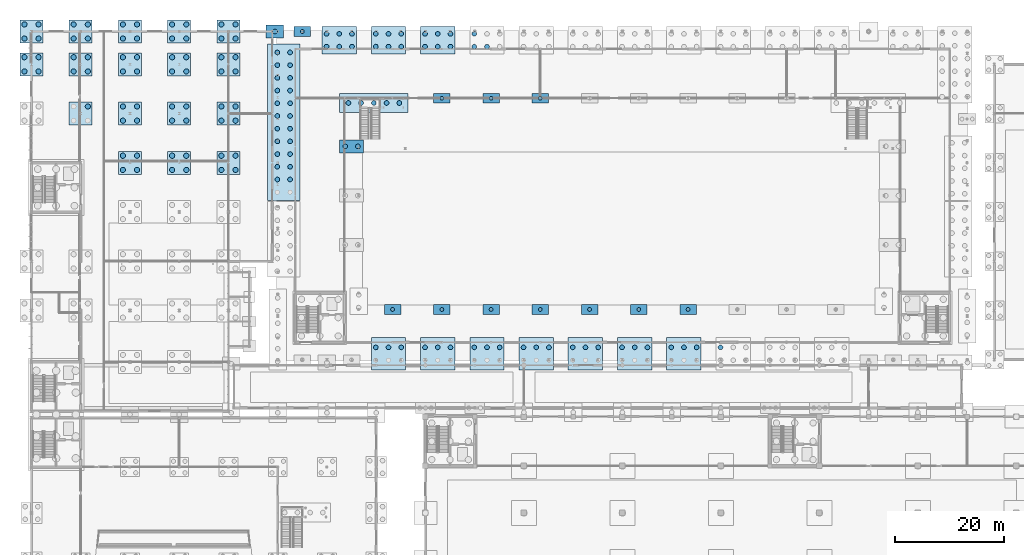
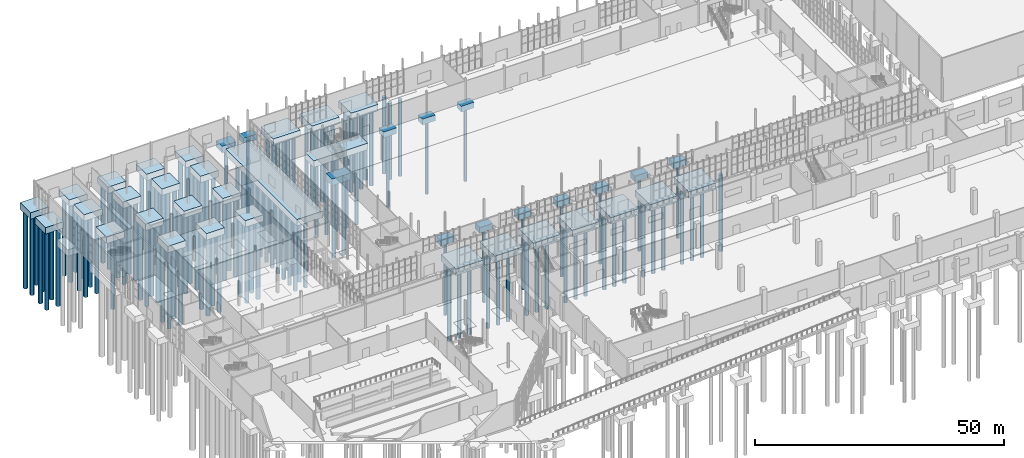
# One storey, part 4 of 131: 149 piles, 42 footings.
"""IFC4 building model written with IfcOpenShell, lengths in metres."""

from ifc_helpers import new_model, si_unit, direction, frame, origin, origin_2d, place, context, subcontext, project, spatial, rectangle, circle, extrude, material, material_profile, profile_set, type_object, element, save


model = new_model("IFC4")

# Units and contexts
model_context = context("Model", 3, precision=1e-05, world=origin(), true_north=direction((0.0, 1.0)))
body_context = subcontext(model_context, "Body", "Model", "MODEL_VIEW")
ifc_project = project(units=[si_unit("LENGTHUNIT", "METRE"), si_unit("AREAUNIT", "SQUARE_METRE"), si_unit("VOLUMEUNIT", "CUBIC_METRE"), si_unit("PLANEANGLEUNIT", "RADIAN"), si_unit("MASSUNIT", "GRAM", prefix="KILO")], contexts=[model_context])

# Site, building, storey
site_placement = place(None, origin())
site = spatial("IfcSite", under=ifc_project, at=site_placement, CompositionType="ELEMENT")
building_placement = place(site_placement, origin())
building = spatial("IfcBuilding", under=site, at=building_placement, Name="Cazmaro Siding Exhibition Halls", CompositionType="ELEMENT")
storey_placement = place(building_placement, origin())
storey = spatial("IfcBuildingStorey", under=building, at=storey_placement, Name="L00", CompositionType="ELEMENT", Elevation=0.0)

# Piles
ifc_material_1 = material(Name="Concrete f'c 35 MPa", Category="concrete")
ifc_material_profile_1 = material_profile(ifc_material_1, circle(Radius=0.35009765625, at=origin_2d()), Name="CIDH-700")
ifc_profile_set_1 = profile_set([ifc_material_profile_1], Name="Concrete f'c 35 MPa")
pile_type_1 = type_object("IfcPileType", Name="P-01", PredefinedType="BORED", material=ifc_profile_set_1)
for number, where, z_axis, x_axis, name in (
    (1, (49.5, 124.0, -1.300048828125), (0.0, 0.0, -1.0), (1.0, 0.0, 0.0), "Bored pile P-01 PIL-0327"),
    (2, (66.0, 73.199951171875, -1.300048828125), (0.0, 0.0, -1.0), (1.0, 0.0, 0.0), "Bored pile P-01 PIL-0391"),
    (3, (75.0, 73.199951171875, -1.300048828125), (0.0, 0.0, -1.0), (1.0, 0.0, 0.0), "Bored pile P-01 PIL-0410"),
    (4, (75.0, 111.800048828125, -1.300048828125), (0.0, 0.0, -1.0), (1.0, 0.0, 0.0), "Bored pile P-01 PIL-0411"),
    (5, (84.0, 73.199951171875, -1.300048828125), (0.0, 0.0, -1.0), (1.0, 0.0, 0.0), "Bored pile P-01 PIL-0433"),
    (6, (84.0, 111.800048828125, -1.300048828125), (0.0, 0.0, -1.0), (1.0, 0.0, 0.0), "Bored pile P-01 PIL-0434"),
    (7, (93.0, 73.199951171875, -1.300048828125), (0.0, 0.0, -1.0), (1.0, 0.0, 0.0), "Bored pile P-01 PIL-0455"),
    (8, (93.0, 111.800048828125, -1.300048828125), (0.0, 0.0, -1.0), (1.0, 0.0, 0.0), "Bored pile P-01 PIL-0456"),
    (9, (102.0, 73.199951171875, -1.300048828125), (0.0, 0.0, -1.0), (1.0, 0.0, 0.0), "Bored pile P-01 PIL-0471"),
    (10, (111.0, 73.199951171875, -1.300048828125), (0.0, 0.0, -1.0), (1.0, 0.0, 0.0), "Bored pile P-01 PIL-0493"),
    (11, (120.0, 73.199951171875, -1.300048828125), (0.0, 0.0, -1.0), (1.0, 0.0, 0.0), "Bored pile P-01 PIL-0512"),
):
    element("IfcPile", number, at=place(storey_placement, frame(where, z_axis=z_axis, x_axis=x_axis)), inside=storey, type_object=pile_type_1, Name=name, PredefinedType="BORED", context=body_context, shape_type="SweptSolid", body=[
        extrude(circle(Radius=0.35009765625, at=origin_2d()), origin(), (0.0, 0.0, 1.0), 18.0),
    ])
ifc_material_2 = material(Name="Concrete f'c 35 MPa", Category="concrete")
ifc_material_profile_2 = material_profile(ifc_material_2, circle(Radius=0.429931640625, at=origin_2d()), Name="CIDH-860")
ifc_profile_set_2 = profile_set([ifc_material_profile_2], Name="Concrete f'c 35 MPa")
pile_type_2 = type_object("IfcPileType", Name="P-03", PredefinedType="BORED", material=ifc_profile_set_2)
for number, where, z_axis, x_axis, name in (
    (12, (44.93896484375, 96.950927734375, -1.5), (0.0, 0.0, -1.0), (1.0, 0.0, 0.0), "Bored pile P-03 PIL-0279"),
    (13, (44.93896484375, 99.27294921875, -1.5), (0.0, 0.0, -1.0), (1.0, 0.0, 0.0), "Bored pile P-03 PIL-0280"),
    (14, (44.93896484375, 101.594970703125, -1.5), (0.0, 0.0, -1.0), (1.0, 0.0, 0.0), "Bored pile P-03 PIL-0281"),
    (15, (44.93896484375, 103.9169921875, -1.5), (0.0, 0.0, -1.0), (1.0, 0.0, 0.0), "Bored pile P-03 PIL-0282"),
    (16, (44.93896484375, 106.239013671875, -1.5), (0.0, 0.0, -1.0), (1.0, 0.0, 0.0), "Bored pile P-03 PIL-0283"),
    (17, (44.93896484375, 108.56103515625, -1.5), (0.0, 0.0, -1.0), (1.0, 0.0, 0.0), "Bored pile P-03 PIL-0284"),
    (18, (44.93896484375, 110.883056640625, -1.5), (0.0, 0.0, -1.0), (1.0, 0.0, 0.0), "Bored pile P-03 PIL-0285"),
    (19, (44.93896484375, 113.205078125, -1.5), (0.0, 0.0, -1.0), (1.0, 0.0, 0.0), "Bored pile P-03 PIL-0286"),
    (20, (44.93896484375, 115.527099609375, -1.5), (0.0, 0.0, -1.0), (1.0, 0.0, 0.0), "Bored pile P-03 PIL-0287"),
    (21, (44.93896484375, 117.84912109375, -1.5), (0.0, 0.0, -1.0), (1.0, 0.0, 0.0), "Bored pile P-03 PIL-0288"),
    (22, (44.93896484375, 120.1708984375, -1.5), (0.0, 0.0, -1.0), (1.0, 0.0, 0.0), "Bored pile P-03 PIL-0289"),
    (23, (47.260986328125, 96.950927734375, -1.5), (0.0, 0.0, -1.0), (1.0, 0.0, 0.0), "Bored pile P-03 PIL-0291"),
    (24, (47.260986328125, 99.27294921875, -1.5), (0.0, 0.0, -1.0), (1.0, 0.0, 0.0), "Bored pile P-03 PIL-0292"),
    (25, (47.260986328125, 101.594970703125, -1.5), (0.0, 0.0, -1.0), (1.0, 0.0, 0.0), "Bored pile P-03 PIL-0293"),
    (26, (47.260986328125, 103.9169921875, -1.5), (0.0, 0.0, -1.0), (1.0, 0.0, 0.0), "Bored pile P-03 PIL-0294"),
    (27, (47.260986328125, 106.239013671875, -1.5), (0.0, 0.0, -1.0), (1.0, 0.0, 0.0), "Bored pile P-03 PIL-0295"),
    (28, (47.260986328125, 108.56103515625, -1.5), (0.0, 0.0, -1.0), (1.0, 0.0, 0.0), "Bored pile P-03 PIL-0296"),
    (29, (47.260986328125, 110.883056640625, -1.5), (0.0, 0.0, -1.0), (1.0, 0.0, 0.0), "Bored pile P-03 PIL-0297"),
    (30, (47.260986328125, 113.205078125, -1.5), (0.0, 0.0, -1.0), (1.0, 0.0, 0.0), "Bored pile P-03 PIL-0298"),
    (31, (47.260986328125, 115.527099609375, -1.5), (0.0, 0.0, -1.0), (1.0, 0.0, 0.0), "Bored pile P-03 PIL-0299"),
    (32, (47.260986328125, 117.84912109375, -1.5), (0.0, 0.0, -1.0), (1.0, 0.0, 0.0), "Bored pile P-03 PIL-0300"),
    (33, (47.260986328125, 120.1708984375, -1.5), (0.0, 0.0, -1.0), (1.0, 0.0, 0.0), "Bored pile P-03 PIL-0301"),
    (34, (44.5, 124.0, -1.5), (0.0, 0.0, -1.0), (1.0, 0.0, 0.0), "Bored pile P-03 PIL-0302"),
    (35, (53.927978515625, 121.239013671875, -1.5), (0.0, 0.0, -1.0), (1.0, 0.0, 0.0), "Bored pile P-03 PIL-0342"),
    (36, (53.927978515625, 123.56103515625, -1.5), (0.0, 0.0, -1.0), (1.0, 0.0, 0.0), "Bored pile P-03 PIL-0343"),
    (37, (56.25, 121.239013671875, -1.5), (0.0, 0.0, -1.0), (1.0, 0.0, 0.0), "Bored pile P-03 PIL-0344"),
    (38, (56.25, 123.56103515625, -1.5), (0.0, 0.0, -1.0), (1.0, 0.0, 0.0), "Bored pile P-03 PIL-0345"),
    (39, (58.572021484375, 121.239013671875, -1.5), (0.0, 0.0, -1.0), (1.0, 0.0, 0.0), "Bored pile P-03 PIL-0346"),
    (40, (58.572021484375, 123.56103515625, -1.5), (0.0, 0.0, -1.0), (1.0, 0.0, 0.0), "Bored pile P-03 PIL-0347"),
    (41, (57.339111328125, 103.0, -1.5), (0.0, 0.0, -1.0), (1.0, 0.0, 0.0), "Bored pile P-03 PIL-0352"),
    (42, (59.660888671875, 103.0, -1.5), (0.0, 0.0, -1.0), (1.0, 0.0, 0.0), "Bored pile P-03 PIL-0353"),
    (43, (57.930908203125, 110.93505859375, -1.5), (0.0, 0.0, -1.0), (1.0, 0.0, 0.0), "Bored pile P-03 PIL-0354"),
    (44, (60.2529296875, 110.93505859375, -1.5), (0.0, 0.0, -1.0), (1.0, 0.0, 0.0), "Bored pile P-03 PIL-0355"),
    (45, (62.574951171875, 110.93505859375, -1.5), (0.0, 0.0, -1.0), (1.0, 0.0, 0.0), "Bored pile P-03 PIL-0356"),
    (46, (64.89697265625, 110.93505859375, -1.5), (0.0, 0.0, -1.0), (1.0, 0.0, 0.0), "Bored pile P-03 PIL-0357"),
    (47, (67.218994140625, 110.93505859375, -1.5), (0.0, 0.0, -1.0), (1.0, 0.0, 0.0), "Bored pile P-03 PIL-0358"),
    (48, (62.927978515625, 66.260986328125, -1.5), (0.0, 0.0, -1.0), (1.0, 0.0, 0.0), "Bored pile P-03 PIL-0376"),
    (49, (65.25, 66.260986328125, -1.5), (0.0, 0.0, -1.0), (1.0, 0.0, 0.0), "Bored pile P-03 PIL-0378"),
    (50, (67.572021484375, 66.260986328125, -1.5), (0.0, 0.0, -1.0), (1.0, 0.0, 0.0), "Bored pile P-03 PIL-0380"),
    (51, (62.927978515625, 121.239013671875, -1.5), (0.0, 0.0, -1.0), (1.0, 0.0, 0.0), "Bored pile P-03 PIL-0381"),
    (52, (62.927978515625, 123.56103515625, -1.5), (0.0, 0.0, -1.0), (1.0, 0.0, 0.0), "Bored pile P-03 PIL-0382"),
    (53, (65.25, 121.239013671875, -1.5), (0.0, 0.0, -1.0), (1.0, 0.0, 0.0), "Bored pile P-03 PIL-0383"),
    (54, (65.25, 123.56103515625, -1.5), (0.0, 0.0, -1.0), (1.0, 0.0, 0.0), "Bored pile P-03 PIL-0384"),
    (55, (67.572021484375, 121.239013671875, -1.5), (0.0, 0.0, -1.0), (1.0, 0.0, 0.0), "Bored pile P-03 PIL-0385"),
    (56, (67.572021484375, 123.56103515625, -1.5), (0.0, 0.0, -1.0), (1.0, 0.0, 0.0), "Bored pile P-03 PIL-0386"),
    (57, (71.927978515625, 66.260986328125, -1.5), (0.0, 0.0, -1.0), (1.0, 0.0, 0.0), "Bored pile P-03 PIL-0399"),
    (58, (74.25, 66.260986328125, -1.5), (0.0, 0.0, -1.0), (1.0, 0.0, 0.0), "Bored pile P-03 PIL-0401"),
    (59, (76.572021484375, 66.260986328125, -1.5), (0.0, 0.0, -1.0), (1.0, 0.0, 0.0), "Bored pile P-03 PIL-0403"),
    (60, (71.927978515625, 121.239013671875, -1.5), (0.0, 0.0, -1.0), (1.0, 0.0, 0.0), "Bored pile P-03 PIL-0404"),
    (61, (71.927978515625, 123.56103515625, -1.5), (0.0, 0.0, -1.0), (1.0, 0.0, 0.0), "Bored pile P-03 PIL-0405"),
    (62, (74.25, 121.239013671875, -1.5), (0.0, 0.0, -1.0), (1.0, 0.0, 0.0), "Bored pile P-03 PIL-0406"),
    (63, (74.25, 123.56103515625, -1.5), (0.0, 0.0, -1.0), (1.0, 0.0, 0.0), "Bored pile P-03 PIL-0407"),
    (64, (76.572021484375, 121.239013671875, -1.5), (0.0, 0.0, -1.0), (1.0, 0.0, 0.0), "Bored pile P-03 PIL-0408"),
    (65, (76.572021484375, 123.56103515625, -1.5), (0.0, 0.0, -1.0), (1.0, 0.0, 0.0), "Bored pile P-03 PIL-0409"),
    (66, (80.927978515625, 66.260986328125, -1.5), (0.0, 0.0, -1.0), (1.0, 0.0, 0.0), "Bored pile P-03 PIL-0418"),
    (67, (83.25, 66.260986328125, -1.5), (0.0, 0.0, -1.0), (1.0, 0.0, 0.0), "Bored pile P-03 PIL-0420"),
    (68, (85.572021484375, 66.260986328125, -1.5), (0.0, 0.0, -1.0), (1.0, 0.0, 0.0), "Bored pile P-03 PIL-0422"),
    (69, (80.927978515625, 121.239013671875, -1.5), (0.0, 0.0, -1.0), (1.0, 0.0, 0.0), "Bored pile P-03 PIL-0423"),
    (70, (80.927978515625, 123.56103515625, -1.5), (0.0, 0.0, -1.0), (1.0, 0.0, 0.0), "Bored pile P-03 PIL-0424"),
    (71, (83.25, 121.239013671875, -1.5), (0.0, 0.0, -1.0), (1.0, 0.0, 0.0), "Bored pile P-03 PIL-0425"),
    (72, (89.927978515625, 66.260986328125, -1.5), (0.0, 0.0, -1.0), (1.0, 0.0, 0.0), "Bored pile P-03 PIL-0442"),
    (73, (92.25, 66.260986328125, -1.5), (0.0, 0.0, -1.0), (1.0, 0.0, 0.0), "Bored pile P-03 PIL-0444"),
    (74, (94.572021484375, 66.260986328125, -1.5), (0.0, 0.0, -1.0), (1.0, 0.0, 0.0), "Bored pile P-03 PIL-0446"),
    (75, (98.927978515625, 66.260986328125, -1.5), (0.0, 0.0, -1.0), (1.0, 0.0, 0.0), "Bored pile P-03 PIL-0460"),
    (76, (101.25, 66.260986328125, -1.5), (0.0, 0.0, -1.0), (1.0, 0.0, 0.0), "Bored pile P-03 PIL-0462"),
    (77, (103.572021484375, 66.260986328125, -1.5), (0.0, 0.0, -1.0), (1.0, 0.0, 0.0), "Bored pile P-03 PIL-0464"),
    (78, (107.927978515625, 66.260986328125, -1.5), (0.0, 0.0, -1.0), (1.0, 0.0, 0.0), "Bored pile P-03 PIL-0482"),
    (79, (110.25, 66.260986328125, -1.5), (0.0, 0.0, -1.0), (1.0, 0.0, 0.0), "Bored pile P-03 PIL-0484"),
    (80, (112.572021484375, 66.260986328125, -1.5), (0.0, 0.0, -1.0), (1.0, 0.0, 0.0), "Bored pile P-03 PIL-0486"),
    (81, (116.927978515625, 66.260986328125, -1.5), (0.0, 0.0, -1.0), (1.0, 0.0, 0.0), "Bored pile P-03 PIL-0499"),
    (82, (119.25, 66.260986328125, -1.5), (0.0, 0.0, -1.0), (1.0, 0.0, 0.0), "Bored pile P-03 PIL-0501"),
    (83, (121.572021484375, 66.260986328125, -1.5), (0.0, 0.0, -1.0), (1.0, 0.0, 0.0), "Bored pile P-03 PIL-0503"),
    (84, (125.927978515625, 66.260986328125, -1.5), (0.0, 0.0, -1.0), (1.0, 0.0, 0.0), "Bored pile P-03 PIL-0521"),
):
    element("IfcPile", number, at=place(storey_placement, frame(where, z_axis=z_axis, x_axis=x_axis)), inside=storey, type_object=pile_type_2, Name=name, PredefinedType="BORED", context=body_context, shape_type="SweptSolid", body=[
        extrude(circle(Radius=0.429931640625, at=origin_2d()), origin(), (0.0, 0.0, 1.0), 18.800048828125),
    ])
ifc_material_3 = material(Name="Concrete f'c 35 MPa", Category="concrete")
ifc_material_profile_3 = material_profile(ifc_material_3, circle(Radius=0.47998046875, at=origin_2d()), Name="CIDH-960")
ifc_profile_set_3 = profile_set([ifc_material_profile_3], Name="Concrete f'c 35 MPa")
pile_type_3 = type_object("IfcPileType", Name="P-04", PredefinedType="BORED", material=ifc_profile_set_3)
for number, where, z_axis, x_axis, name in (
    (85, (-1.2958984375, 116.7041015625, -1.5), (0.0, 0.0, -1.0), (1.0, 0.0, 0.0), "Bored pile P-04 PIL-0098"),
    (86, (1.2958984375, 116.7041015625, -1.5), (0.0, 0.0, -1.0), (1.0, 0.0, 0.0), "Bored pile P-04 PIL-0099"),
    (87, (-1.2958984375, 119.2958984375, -1.5), (0.0, 0.0, -1.0), (1.0, 0.0, 0.0), "Bored pile P-04 PIL-0100"),
    (88, (1.2958984375, 119.2958984375, -1.5), (0.0, 0.0, -1.0), (1.0, 0.0, 0.0), "Bored pile P-04 PIL-0101"),
    (89, (-1.2958984375, 122.7041015625, -1.5), (0.0, 0.0, -1.0), (1.0, 0.0, 0.0), "Bored pile P-04 PIL-0102"),
    (90, (1.2958984375, 122.7041015625, -1.5), (0.0, 0.0, -1.0), (1.0, 0.0, 0.0), "Bored pile P-04 PIL-0103"),
    (91, (-1.2958984375, 125.2958984375, -1.5), (0.0, 0.0, -1.0), (1.0, 0.0, 0.0), "Bored pile P-04 PIL-0104"),
    (92, (1.2958984375, 125.2958984375, -1.5), (0.0, 0.0, -1.0), (1.0, 0.0, 0.0), "Bored pile P-04 PIL-0105"),
    (93, (10.2958984375, 110.2958984375, -1.5), (0.0, 0.0, -1.0), (1.0, 0.0, 0.0), "Bored pile P-04 PIL-0125"),
    (94, (7.7041015625, 116.7041015625, -1.5), (0.0, 0.0, -1.0), (1.0, 0.0, 0.0), "Bored pile P-04 PIL-0126"),
    (95, (10.2958984375, 116.7041015625, -1.5), (0.0, 0.0, -1.0), (1.0, 0.0, 0.0), "Bored pile P-04 PIL-0127"),
    (96, (7.7041015625, 119.2958984375, -1.5), (0.0, 0.0, -1.0), (1.0, 0.0, 0.0), "Bored pile P-04 PIL-0128"),
    (97, (10.2958984375, 119.2958984375, -1.5), (0.0, 0.0, -1.0), (1.0, 0.0, 0.0), "Bored pile P-04 PIL-0129"),
    (98, (7.7041015625, 122.7041015625, -1.5), (0.0, 0.0, -1.0), (1.0, 0.0, 0.0), "Bored pile P-04 PIL-0130"),
    (99, (10.2958984375, 122.7041015625, -1.5), (0.0, 0.0, -1.0), (1.0, 0.0, 0.0), "Bored pile P-04 PIL-0131"),
    (100, (7.7041015625, 125.2958984375, -1.5), (0.0, 0.0, -1.0), (1.0, 0.0, 0.0), "Bored pile P-04 PIL-0132"),
    (101, (10.2958984375, 125.2958984375, -1.5), (0.0, 0.0, -1.0), (1.0, 0.0, 0.0), "Bored pile P-04 PIL-0133"),
    (102, (16.7041015625, 98.7041015625, -1.5), (0.0, 0.0, -1.0), (1.0, 0.0, 0.0), "Bored pile P-04 PIL-0163"),
    (103, (19.2958984375, 98.7041015625, -1.5), (0.0, 0.0, -1.0), (1.0, 0.0, 0.0), "Bored pile P-04 PIL-0164"),
    (104, (16.7041015625, 101.2958984375, -1.5), (0.0, 0.0, -1.0), (1.0, 0.0, 0.0), "Bored pile P-04 PIL-0165"),
    (105, (19.2958984375, 101.2958984375, -1.5), (0.0, 0.0, -1.0), (1.0, 0.0, 0.0), "Bored pile P-04 PIL-0166"),
    (106, (16.7041015625, 107.7041015625, -1.5), (0.0, 0.0, -1.0), (1.0, 0.0, 0.0), "Bored pile P-04 PIL-0167"),
    (107, (19.2958984375, 107.7041015625, -1.5), (0.0, 0.0, -1.0), (1.0, 0.0, 0.0), "Bored pile P-04 PIL-0168"),
    (108, (16.7041015625, 110.2958984375, -1.5), (0.0, 0.0, -1.0), (1.0, 0.0, 0.0), "Bored pile P-04 PIL-0169"),
    (109, (19.2958984375, 110.2958984375, -1.5), (0.0, 0.0, -1.0), (1.0, 0.0, 0.0), "Bored pile P-04 PIL-0170"),
    (110, (16.7041015625, 116.7041015625, -1.5), (0.0, 0.0, -1.0), (1.0, 0.0, 0.0), "Bored pile P-04 PIL-0171"),
    (111, (19.2958984375, 116.7041015625, -1.5), (0.0, 0.0, -1.0), (1.0, 0.0, 0.0), "Bored pile P-04 PIL-0172"),
    (112, (16.7041015625, 119.2958984375, -1.5), (0.0, 0.0, -1.0), (1.0, 0.0, 0.0), "Bored pile P-04 PIL-0173"),
    (113, (19.2958984375, 119.2958984375, -1.5), (0.0, 0.0, -1.0), (1.0, 0.0, 0.0), "Bored pile P-04 PIL-0174"),
    (114, (16.7041015625, 122.7041015625, -1.5), (0.0, 0.0, -1.0), (1.0, 0.0, 0.0), "Bored pile P-04 PIL-0175"),
    (115, (19.2958984375, 122.7041015625, -1.5), (0.0, 0.0, -1.0), (1.0, 0.0, 0.0), "Bored pile P-04 PIL-0176"),
    (116, (16.7041015625, 125.2958984375, -1.5), (0.0, 0.0, -1.0), (1.0, 0.0, 0.0), "Bored pile P-04 PIL-0177"),
    (117, (19.2958984375, 125.2958984375, -1.5), (0.0, 0.0, -1.0), (1.0, 0.0, 0.0), "Bored pile P-04 PIL-0178"),
    (118, (25.7041015625, 98.7041015625, -1.5), (0.0, 0.0, -1.0), (1.0, 0.0, 0.0), "Bored pile P-04 PIL-0208"),
    (119, (28.2958984375, 98.7041015625, -1.5), (0.0, 0.0, -1.0), (1.0, 0.0, 0.0), "Bored pile P-04 PIL-0209"),
    (120, (25.7041015625, 101.2958984375, -1.5), (0.0, 0.0, -1.0), (1.0, 0.0, 0.0), "Bored pile P-04 PIL-0210"),
    (121, (28.2958984375, 101.2958984375, -1.5), (0.0, 0.0, -1.0), (1.0, 0.0, 0.0), "Bored pile P-04 PIL-0211"),
    (122, (25.7041015625, 107.7041015625, -1.5), (0.0, 0.0, -1.0), (1.0, 0.0, 0.0), "Bored pile P-04 PIL-0212"),
    (123, (28.2958984375, 107.7041015625, -1.5), (0.0, 0.0, -1.0), (1.0, 0.0, 0.0), "Bored pile P-04 PIL-0213"),
    (124, (25.7041015625, 110.2958984375, -1.5), (0.0, 0.0, -1.0), (1.0, 0.0, 0.0), "Bored pile P-04 PIL-0214"),
    (125, (28.2958984375, 110.2958984375, -1.5), (0.0, 0.0, -1.0), (1.0, 0.0, 0.0), "Bored pile P-04 PIL-0215"),
    (126, (25.7041015625, 116.7041015625, -1.5), (0.0, 0.0, -1.0), (1.0, 0.0, 0.0), "Bored pile P-04 PIL-0216"),
    (127, (28.2958984375, 116.7041015625, -1.5), (0.0, 0.0, -1.0), (1.0, 0.0, 0.0), "Bored pile P-04 PIL-0217"),
    (128, (25.7041015625, 119.2958984375, -1.5), (0.0, 0.0, -1.0), (1.0, 0.0, 0.0), "Bored pile P-04 PIL-0218"),
    (129, (28.2958984375, 119.2958984375, -1.5), (0.0, 0.0, -1.0), (1.0, 0.0, 0.0), "Bored pile P-04 PIL-0219"),
    (130, (25.7041015625, 122.7041015625, -1.5), (0.0, 0.0, -1.0), (1.0, 0.0, 0.0), "Bored pile P-04 PIL-0220"),
    (131, (28.2958984375, 122.7041015625, -1.5), (0.0, 0.0, -1.0), (1.0, 0.0, 0.0), "Bored pile P-04 PIL-0221"),
    (132, (25.7041015625, 125.2958984375, -1.5), (0.0, 0.0, -1.0), (1.0, 0.0, 0.0), "Bored pile P-04 PIL-0222"),
    (133, (28.2958984375, 125.2958984375, -1.5), (0.0, 0.0, -1.0), (1.0, 0.0, 0.0), "Bored pile P-04 PIL-0223"),
    (134, (34.7041015625, 98.7041015625, -1.5), (0.0, 0.0, -1.0), (1.0, 0.0, 0.0), "Bored pile P-04 PIL-0250"),
    (135, (37.2958984375, 98.7041015625, -1.5), (0.0, 0.0, -1.0), (1.0, 0.0, 0.0), "Bored pile P-04 PIL-0251"),
    (136, (34.7041015625, 101.2958984375, -1.5), (0.0, 0.0, -1.0), (1.0, 0.0, 0.0), "Bored pile P-04 PIL-0252"),
    (137, (37.2958984375, 101.2958984375, -1.5), (0.0, 0.0, -1.0), (1.0, 0.0, 0.0), "Bored pile P-04 PIL-0253"),
    (138, (34.7041015625, 107.7041015625, -1.5), (0.0, 0.0, -1.0), (1.0, 0.0, 0.0), "Bored pile P-04 PIL-0254"),
    (139, (37.2958984375, 107.7041015625, -1.5), (0.0, 0.0, -1.0), (1.0, 0.0, 0.0), "Bored pile P-04 PIL-0255"),
    (140, (34.7041015625, 110.2958984375, -1.5), (0.0, 0.0, -1.0), (1.0, 0.0, 0.0), "Bored pile P-04 PIL-0256"),
    (141, (37.2958984375, 110.2958984375, -1.5), (0.0, 0.0, -1.0), (1.0, 0.0, 0.0), "Bored pile P-04 PIL-0257"),
    (142, (34.7041015625, 116.7041015625, -1.5), (0.0, 0.0, -1.0), (1.0, 0.0, 0.0), "Bored pile P-04 PIL-0258"),
    (143, (37.2958984375, 116.7041015625, -1.5), (0.0, 0.0, -1.0), (1.0, 0.0, 0.0), "Bored pile P-04 PIL-0259"),
    (144, (34.7041015625, 119.2958984375, -1.5), (0.0, 0.0, -1.0), (1.0, 0.0, 0.0), "Bored pile P-04 PIL-0260"),
    (145, (37.2958984375, 119.2958984375, -1.5), (0.0, 0.0, -1.0), (1.0, 0.0, 0.0), "Bored pile P-04 PIL-0261"),
    (146, (34.7041015625, 122.7041015625, -1.5), (0.0, 0.0, -1.0), (1.0, 0.0, 0.0), "Bored pile P-04 PIL-0262"),
    (147, (37.2958984375, 122.7041015625, -1.5), (0.0, 0.0, -1.0), (1.0, 0.0, 0.0), "Bored pile P-04 PIL-0263"),
    (148, (34.7041015625, 125.2958984375, -1.5), (0.0, 0.0, -1.0), (1.0, 0.0, 0.0), "Bored pile P-04 PIL-0264"),
    (149, (37.2958984375, 125.2958984375, -1.5), (0.0, 0.0, -1.0), (1.0, 0.0, 0.0), "Bored pile P-04 PIL-0265"),
):
    element("IfcPile", number, at=place(storey_placement, frame(where, z_axis=z_axis, x_axis=x_axis)), inside=storey, type_object=pile_type_3, Name=name, PredefinedType="BORED", context=body_context, shape_type="SweptSolid", body=[
        extrude(circle(Radius=0.47998046875, at=origin_2d()), origin(), (0.0, 0.0, 1.0), 19.199951171875),
    ])

# Footings
ifc_material_4 = material(Name="Concrete f'c 35 MPa", Category="concrete")
footing_type_1 = type_object("IfcFootingType", Name="PC-01", PredefinedType="PILE_CAP", material=ifc_material_4)
for number, where, z_axis, x_axis, name in (
    (150, (49.5, 124.0, -1.39990234375), (0.0, 0.0, 1.0), (1.0, 0.0, 0.0), "Pile cap PC-01 FTG-0075"),
    (151, (66.0, 73.199951171875, -1.39990234375), (0.0, 0.0, 1.0), (1.0, 0.0, 0.0), "Pile cap PC-01 FTG-0096"),
    (152, (75.0, 73.199951171875, -1.39990234375), (0.0, 0.0, 1.0), (1.0, 0.0, 0.0), "Pile cap PC-01 FTG-0104"),
    (153, (75.0, 111.800048828125, -1.39990234375), (0.0, 0.0, 1.0), (1.0, 0.0, 0.0), "Pile cap PC-01 FTG-0105"),
    (154, (84.0, 73.199951171875, -1.39990234375), (0.0, 0.0, 1.0), (1.0, 0.0, 0.0), "Pile cap PC-01 FTG-0112"),
    (155, (84.0, 111.800048828125, -1.39990234375), (0.0, 0.0, 1.0), (1.0, 0.0, 0.0), "Pile cap PC-01 FTG-0113"),
    (156, (93.0, 73.199951171875, -1.39990234375), (0.0, 0.0, 1.0), (1.0, 0.0, 0.0), "Pile cap PC-01 FTG-0122"),
    (157, (93.0, 111.800048828125, -1.39990234375), (0.0, 0.0, 1.0), (1.0, 0.0, 0.0), "Pile cap PC-01 FTG-0123"),
    (158, (102.0, 73.199951171875, -1.39990234375), (0.0, 0.0, 1.0), (1.0, 0.0, 0.0), "Pile cap PC-01 FTG-0128"),
    (159, (111.0, 73.199951171875, -1.39990234375), (0.0, 0.0, 1.0), (1.0, 0.0, 0.0), "Pile cap PC-01 FTG-0139"),
    (160, (120.0, 73.199951171875, -1.39990234375), (0.0, 0.0, 1.0), (1.0, 0.0, 0.0), "Pile cap PC-01 FTG-0146"),
):
    element("IfcFooting", number, at=place(storey_placement, frame(where, z_axis=z_axis, x_axis=x_axis)), inside=storey, type_object=footing_type_1, Name=name, PredefinedType="PILE_CAP", context=body_context, shape_type="SweptSolid", body=[
        extrude(rectangle(XDim=3.0, YDim=1.800048828125, at=origin_2d()), origin(), (0.0, 0.0, 1.0), 1.39990234375),
    ])
ifc_material_5 = material(Name="Concrete f'c 35 MPa", Category="concrete")
footing_type_2 = type_object("IfcFootingType", Name="PC-04", PredefinedType="PILE_CAP", material=ifc_material_5)
for number, where, z_axis, x_axis, name in (
    (161, (0.0, 118.0, -1.60009765625), (0.0, 0.0, 1.0), (1.0, 0.0, 0.0), "Pile cap PC-04 FTG-0019"),
    (162, (0.0, 124.0, -1.60009765625), (0.0, 0.0, 1.0), (1.0, 0.0, 0.0), "Pile cap PC-04 FTG-0020"),
    (163, (9.0, 109.0, -1.60009765625), (0.0, 0.0, 1.0), (1.0, 0.0, 0.0), "Pile cap PC-04 FTG-0025"),
    (164, (9.0, 118.0, -1.60009765625), (0.0, 0.0, 1.0), (1.0, 0.0, 0.0), "Pile cap PC-04 FTG-0026"),
    (165, (9.0, 124.0, -1.60009765625), (0.0, 0.0, 1.0), (1.0, 0.0, 0.0), "Pile cap PC-04 FTG-0027"),
    (166, (18.0, 100.0, -1.60009765625), (0.0, 0.0, 1.0), (1.0, 0.0, 0.0), "Pile cap PC-04 FTG-0036"),
    (167, (18.0, 109.0, -1.60009765625), (0.0, 0.0, 1.0), (1.0, 0.0, 0.0), "Pile cap PC-04 FTG-0037"),
    (168, (18.0, 118.0, -1.60009765625), (0.0, 0.0, 1.0), (1.0, 0.0, 0.0), "Pile cap PC-04 FTG-0038"),
    (169, (18.0, 124.0, -1.60009765625), (0.0, 0.0, 1.0), (1.0, 0.0, 0.0), "Pile cap PC-04 FTG-0039"),
    (170, (27.0, 100.0, -1.60009765625), (0.0, 0.0, 1.0), (1.0, 0.0, 0.0), "Pile cap PC-04 FTG-0048"),
    (171, (27.0, 109.0, -1.60009765625), (0.0, 0.0, 1.0), (1.0, 0.0, 0.0), "Pile cap PC-04 FTG-0049"),
    (172, (27.0, 118.0, -1.60009765625), (0.0, 0.0, 1.0), (1.0, 0.0, 0.0), "Pile cap PC-04 FTG-0050"),
    (173, (27.0, 124.0, -1.60009765625), (0.0, 0.0, 1.0), (1.0, 0.0, 0.0), "Pile cap PC-04 FTG-0051"),
    (174, (36.0, 100.0, -1.60009765625), (0.0, 0.0, 1.0), (1.0, 0.0, 0.0), "Pile cap PC-04 FTG-0060"),
    (175, (36.0, 109.0, -1.60009765625), (0.0, 0.0, 1.0), (1.0, 0.0, 0.0), "Pile cap PC-04 FTG-0061"),
    (176, (36.0, 118.0, -1.60009765625), (0.0, 0.0, 1.0), (1.0, 0.0, 0.0), "Pile cap PC-04 FTG-0062"),
    (177, (36.0, 124.0, -1.60009765625), (0.0, 0.0, 1.0), (1.0, 0.0, 0.0), "Pile cap PC-04 FTG-0063"),
):
    element("IfcFooting", number, at=place(storey_placement, frame(where, z_axis=z_axis, x_axis=x_axis)), inside=storey, type_object=footing_type_2, Name=name, PredefinedType="PILE_CAP", context=body_context, shape_type="SweptSolid", body=[
        extrude(rectangle(XDim=4.199951171875, YDim=4.199951171875, at=origin_2d()), origin(), (0.0, 0.0, 1.0), 1.60009765625),
    ])
ifc_material_6 = material(Name="Concrete f'c 35 MPa", Category="concrete")
footing_type_3 = type_object("IfcFootingType", Name="PC-23", PredefinedType="PILE_CAP", material=ifc_material_6)
footing_1_placement = place(storey_placement, frame((46.10009765625, 107.39990234375, -1.60009765625), z_axis=(0.0, 0.0, 1.0), x_axis=(1.0, 0.0, 0.0)))
element("IfcFooting", 178, at=footing_1_placement, inside=storey, type_object=footing_type_3, Name="Pile cap PC-23 FTG-0065", PredefinedType="PILE_CAP", context=body_context, shape_type="SweptSolid", body=[
    extrude(rectangle(XDim=6.0, YDim=28.60009765625, at=origin_2d()), origin(), (0.0, 0.0, 1.0), 1.60009765625),
])
ifc_material_7 = material(Name="Concrete f'c 35 MPa", Category="concrete")
footing_type_4 = type_object("IfcFootingType", Name="PC-24", PredefinedType="PILE_CAP", material=ifc_material_7)
footing_2_placement = place(storey_placement, frame((44.5, 124.0, -1.60009765625), z_axis=(0.0, 0.0, 1.0), x_axis=(1.0, 0.0, 0.0)))
element("IfcFooting", 179, at=footing_2_placement, inside=storey, type_object=footing_type_4, Name="Pile cap PC-24 FTG-0066", PredefinedType="PILE_CAP", context=body_context, shape_type="SweptSolid", body=[
    extrude(rectangle(XDim=3.199951171875, YDim=2.39990234375, at=origin_2d()), origin(), (0.0, 0.0, 1.0), 1.60009765625),
])
ifc_material_8 = material(Name="Concrete f'c 35 MPa", Category="concrete")
footing_type_5 = type_object("IfcFootingType", Name="PC-31", PredefinedType="PILE_CAP", material=ifc_material_8)
footing_3_placement = place(storey_placement, frame((56.25, 122.39990234375, -1.60009765625), z_axis=(0.0, 0.0, 1.0), x_axis=(1.0, 0.0, 0.0)))
element("IfcFooting", 180, at=footing_3_placement, inside=storey, type_object=footing_type_5, Name="Pile cap PC-31 FTG-0081", PredefinedType="PILE_CAP", context=body_context, shape_type="SweptSolid", body=[
    extrude(rectangle(XDim=6.300048828125, YDim=5.0, at=origin_2d()), origin(), (0.0, 0.0, 1.0), 1.60009765625),
])
ifc_material_9 = material(Name="Concrete f'c 35 MPa", Category="concrete")
footing_type_6 = type_object("IfcFootingType", Name="PC-34", PredefinedType="PILE_CAP", material=ifc_material_9)
footing_4_placement = place(storey_placement, frame((58.5, 103.0, -1.60009765625), z_axis=(0.0, 0.0, 1.0), x_axis=(1.0, 0.0, 0.0)))
element("IfcFooting", 181, at=footing_4_placement, inside=storey, type_object=footing_type_6, Name="Pile cap PC-34 FTG-0084", PredefinedType="PILE_CAP", context=body_context, shape_type="SweptSolid", body=[
    extrude(rectangle(XDim=4.39990234375, YDim=2.39990234375, at=origin_2d()), origin(), (0.0, 0.0, 1.0), 1.60009765625),
])
ifc_material_10 = material(Name="Concrete f'c 35 MPa", Category="concrete")
footing_type_7 = type_object("IfcFootingType", Name="PC-35", PredefinedType="PILE_CAP", material=ifc_material_10)
footing_5_placement = place(storey_placement, frame((62.574951171875, 110.93505859375, -1.60009765625), z_axis=(0.0, 0.0, 1.0), x_axis=(1.0, 0.0, 0.0)))
element("IfcFooting", 182, at=footing_5_placement, inside=storey, type_object=footing_type_7, Name="Pile cap PC-35 FTG-0085", PredefinedType="PILE_CAP", context=body_context, shape_type="SweptSolid", body=[
    extrude(rectangle(XDim=12.550048828125, YDim=3.530029296875, at=origin_2d()), origin(), (0.0, 0.0, 1.0), 1.60009765625),
])
ifc_material_11 = material(Name="Concrete f'c 35 MPa", Category="concrete")
footing_type_8 = type_object("IfcFootingType", Name="PC-38", PredefinedType="PILE_CAP", material=ifc_material_11)
footing_6_placement = place(storey_placement, frame((65.25, 65.10009765625, -1.60009765625), z_axis=(0.0, 0.0, 1.0), x_axis=(1.0, 0.0, 0.0)))
element("IfcFooting", 183, at=footing_6_placement, inside=storey, type_object=footing_type_8, Name="Pile cap PC-38 FTG-0092", PredefinedType="PILE_CAP", context=body_context, shape_type="SweptSolid", body=[
    extrude(rectangle(XDim=6.300048828125, YDim=6.0, at=origin_2d()), origin(), (0.0, 0.0, 1.0), 1.60009765625),
])
ifc_material_12 = material(Name="Concrete f'c 35 MPa", Category="concrete")
footing_type_9 = type_object("IfcFootingType", Name="PC-39", PredefinedType="PILE_CAP", material=ifc_material_12)
footing_7_placement = place(storey_placement, frame((65.25, 122.39990234375, -1.60009765625), z_axis=(0.0, 0.0, 1.0), x_axis=(1.0, 0.0, 0.0)))
element("IfcFooting", 184, at=footing_7_placement, inside=storey, type_object=footing_type_9, Name="Pile cap PC-39 FTG-0093", PredefinedType="PILE_CAP", context=body_context, shape_type="SweptSolid", body=[
    extrude(rectangle(XDim=6.300048828125, YDim=5.0, at=origin_2d()), origin(), (0.0, 0.0, 1.0), 1.60009765625),
])
ifc_material_13 = material(Name="Concrete f'c 35 MPa", Category="concrete")
footing_type_10 = type_object("IfcFootingType", Name="PC-40", PredefinedType="PILE_CAP", material=ifc_material_13)
footing_8_placement = place(storey_placement, frame((74.25, 65.10009765625, -1.60009765625), z_axis=(0.0, 0.0, 1.0), x_axis=(1.0, 0.0, 0.0)))
element("IfcFooting", 185, at=footing_8_placement, inside=storey, type_object=footing_type_10, Name="Pile cap PC-40 FTG-0102", PredefinedType="PILE_CAP", context=body_context, shape_type="SweptSolid", body=[
    extrude(rectangle(XDim=6.300048828125, YDim=6.0, at=origin_2d()), origin(), (0.0, 0.0, 1.0), 1.60009765625),
])
ifc_material_14 = material(Name="Concrete f'c 35 MPa", Category="concrete")
footing_type_11 = type_object("IfcFootingType", Name="PC-41", PredefinedType="PILE_CAP", material=ifc_material_14)
footing_9_placement = place(storey_placement, frame((74.25, 122.39990234375, -1.60009765625), z_axis=(0.0, 0.0, 1.0), x_axis=(1.0, 0.0, 0.0)))
element("IfcFooting", 186, at=footing_9_placement, inside=storey, type_object=footing_type_11, Name="Pile cap PC-41 FTG-0103", PredefinedType="PILE_CAP", context=body_context, shape_type="SweptSolid", body=[
    extrude(rectangle(XDim=6.300048828125, YDim=5.0, at=origin_2d()), origin(), (0.0, 0.0, 1.0), 1.60009765625),
])
ifc_material_15 = material(Name="Concrete f'c 35 MPa", Category="concrete")
footing_type_12 = type_object("IfcFootingType", Name="PC-43", PredefinedType="PILE_CAP", material=ifc_material_15)
footing_10_placement = place(storey_placement, frame((83.25, 65.10009765625, -1.60009765625), z_axis=(0.0, 0.0, 1.0), x_axis=(1.0, 0.0, 0.0)))
element("IfcFooting", 187, at=footing_10_placement, inside=storey, type_object=footing_type_12, Name="Pile cap PC-43 FTG-0109", PredefinedType="PILE_CAP", context=body_context, shape_type="SweptSolid", body=[
    extrude(rectangle(XDim=6.300048828125, YDim=6.0, at=origin_2d()), origin(), (0.0, 0.0, 1.0), 1.60009765625),
])
ifc_material_16 = material(Name="Concrete f'c 35 MPa", Category="concrete")
footing_type_13 = type_object("IfcFootingType", Name="PC-48", PredefinedType="PILE_CAP", material=ifc_material_16)
footing_11_placement = place(storey_placement, frame((92.25, 65.10009765625, -1.60009765625), z_axis=(0.0, 0.0, 1.0), x_axis=(1.0, 0.0, 0.0)))
element("IfcFooting", 188, at=footing_11_placement, inside=storey, type_object=footing_type_13, Name="Pile cap PC-48 FTG-0119", PredefinedType="PILE_CAP", context=body_context, shape_type="SweptSolid", body=[
    extrude(rectangle(XDim=6.300048828125, YDim=6.0, at=origin_2d()), origin(), (0.0, 0.0, 1.0), 1.60009765625),
])
ifc_material_17 = material(Name="Concrete f'c 35 MPa", Category="concrete")
footing_type_14 = type_object("IfcFootingType", Name="PC-51", PredefinedType="PILE_CAP", material=ifc_material_17)
footing_12_placement = place(storey_placement, frame((101.25, 65.10009765625, -1.60009765625), z_axis=(0.0, 0.0, 1.0), x_axis=(1.0, 0.0, 0.0)))
element("IfcFooting", 189, at=footing_12_placement, inside=storey, type_object=footing_type_14, Name="Pile cap PC-51 FTG-0126", PredefinedType="PILE_CAP", context=body_context, shape_type="SweptSolid", body=[
    extrude(rectangle(XDim=6.300048828125, YDim=6.0, at=origin_2d()), origin(), (0.0, 0.0, 1.0), 1.60009765625),
])
ifc_material_18 = material(Name="Concrete f'c 35 MPa", Category="concrete")
footing_type_15 = type_object("IfcFootingType", Name="PC-55", PredefinedType="PILE_CAP", material=ifc_material_18)
footing_13_placement = place(storey_placement, frame((110.25, 65.10009765625, -1.60009765625), z_axis=(0.0, 0.0, 1.0), x_axis=(1.0, 0.0, 0.0)))
element("IfcFooting", 190, at=footing_13_placement, inside=storey, type_object=footing_type_15, Name="Pile cap PC-55 FTG-0137", PredefinedType="PILE_CAP", context=body_context, shape_type="SweptSolid", body=[
    extrude(rectangle(XDim=6.300048828125, YDim=6.0, at=origin_2d()), origin(), (0.0, 0.0, 1.0), 1.60009765625),
])
ifc_material_19 = material(Name="Concrete f'c 35 MPa", Category="concrete")
footing_type_16 = type_object("IfcFootingType", Name="PC-59", PredefinedType="PILE_CAP", material=ifc_material_19)
footing_14_placement = place(storey_placement, frame((119.25, 65.10009765625, -1.60009765625), z_axis=(0.0, 0.0, 1.0), x_axis=(1.0, 0.0, 0.0)))
element("IfcFooting", 191, at=footing_14_placement, inside=storey, type_object=footing_type_16, Name="Pile cap PC-59 FTG-0143", PredefinedType="PILE_CAP", context=body_context, shape_type="SweptSolid", body=[
    extrude(rectangle(XDim=6.300048828125, YDim=6.0, at=origin_2d()), origin(), (0.0, 0.0, 1.0), 1.60009765625),
])

save(model, "model.ifc")
